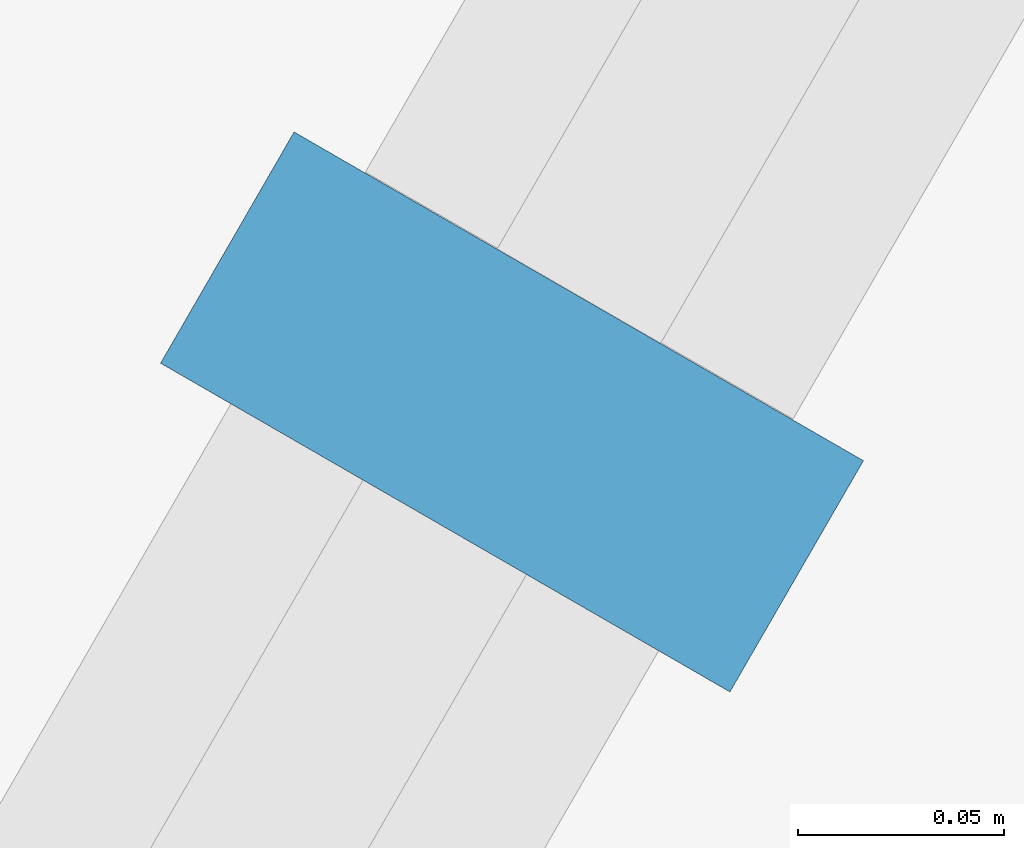
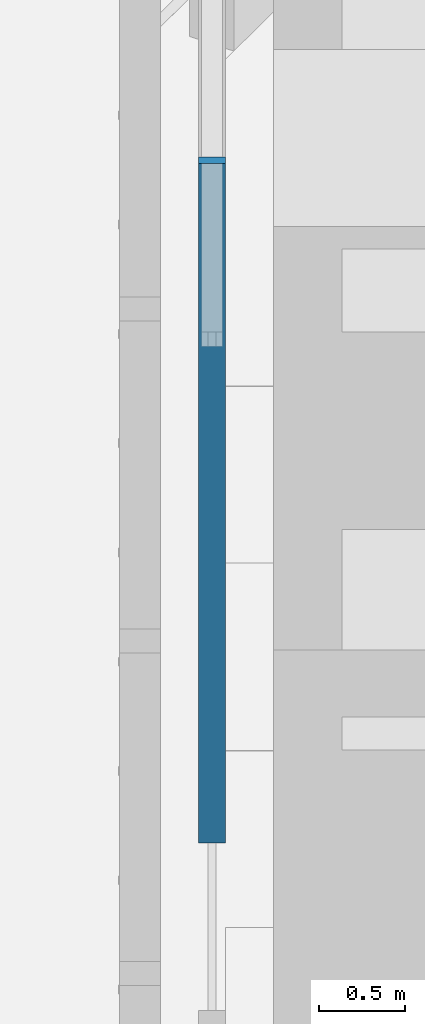
# One storey, part 143 of 228: 1 member, 1 element without a shape of its own.
"""IFC4 building model written with IfcOpenShell, lengths in metres."""

from ifc_helpers import new_model, si_unit, direction, frame, origin, origin_2d, place, context, subcontext, project, spatial, rectangle, extrude, material, material_profile, profile_set, type_object, element, aggregate, save


model = new_model("IFC4")

# Units and contexts
model_context = context("Model", 3, precision=1e-05, world=origin(), true_north=direction((0.0, 1.0)))
body_context = subcontext(model_context, "Body", "Model", "MODEL_VIEW")
ifc_project = project(units=[si_unit("LENGTHUNIT", "METRE"), si_unit("AREAUNIT", "SQUARE_METRE"), si_unit("VOLUMEUNIT", "CUBIC_METRE"), si_unit("PLANEANGLEUNIT", "RADIAN"), si_unit("MASSUNIT", "GRAM", prefix="KILO")], contexts=[model_context])

# Site, building, storey
site_placement = place(None, origin())
site = spatial("IfcSite", under=ifc_project, at=site_placement, CompositionType="ELEMENT")
building_placement = place(site_placement, origin())
building = spatial("IfcBuilding", under=site, at=building_placement, Name="Sandreach Pilgrim Tower", CompositionType="ELEMENT")
storey_placement = place(building_placement, frame((0.0, 0.0, 178.199951171875)))
storey = spatial("IfcBuildingStorey", under=building, at=storey_placement, Name="L44", CompositionType="ELEMENT", Elevation=178.199951171875)

# Curtain wall, member
ifc_material_1 = material(Name="Aluminium framed curtain wall", Category="aluminium")
curtain_wall_type = type_object("IfcCurtainWallType", Name="Upper hotel tower curtain wall", PredefinedType="NOTDEFINED", material=ifc_material_1)
curtain_wall_placement = place(storey_placement, origin())
curtain_wall = element("IfcCurtainWall", 1, at=curtain_wall_placement, inside=storey, type_object=curtain_wall_type, Name="CW-3 L44 NW", PredefinedType="NOTDEFINED")
ifc_material_2 = material(Name="Aluminium extrusion", Category="aluminium")
ifc_material_profile = material_profile(ifc_material_2, rectangle(XDim=0.06494140625, YDim=0.159912109375, at=origin_2d()), Name="CW-3M 65X160")
ifc_profile_set = profile_set([ifc_material_profile], Name="Aluminium extrusion")
member_type = type_object("IfcMemberType", Name="CW-3 mullion", PredefinedType="MULLION", material=ifc_profile_set)
member_placement = place(storey_placement, frame((-22.971435546875, 13.262451171875, 0.0), z_axis=(0.0, 0.0, 1.0), x_axis=(0.5, 0.866025403784, 0.0)))
member = element("IfcMember", 2, at=member_placement, type_object=member_type, Name="CW-3 mullion 3", PredefinedType="MULLION", context=body_context, shape_type="SweptSolid", body=[
    extrude(rectangle(XDim=0.06494140625, YDim=0.159912109375, at=origin_2d()), origin(), (0.0, 0.0, 1.0), 4.840087890625),
])
aggregate(curtain_wall, [member])

save(model, "model.ifc")
